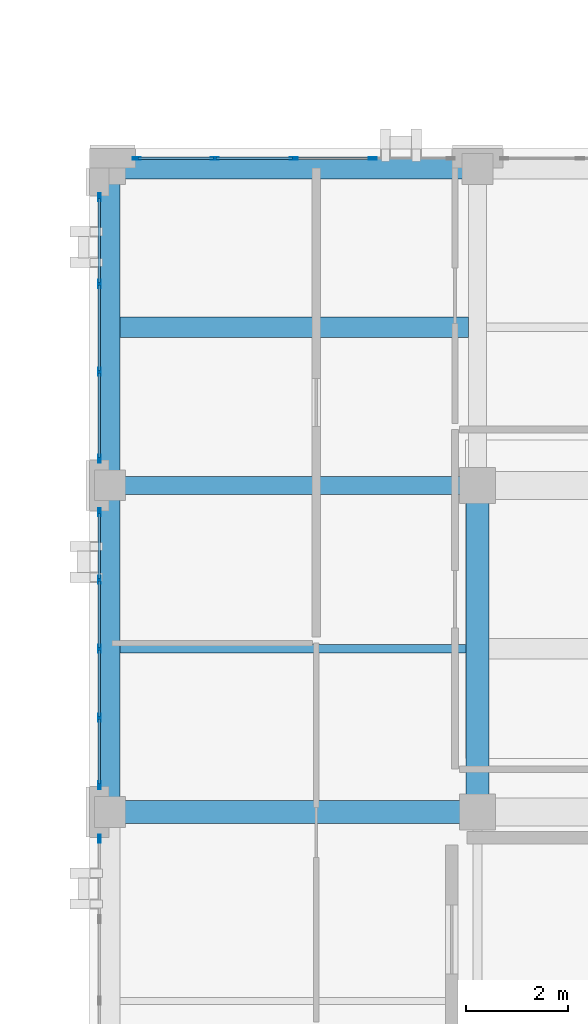
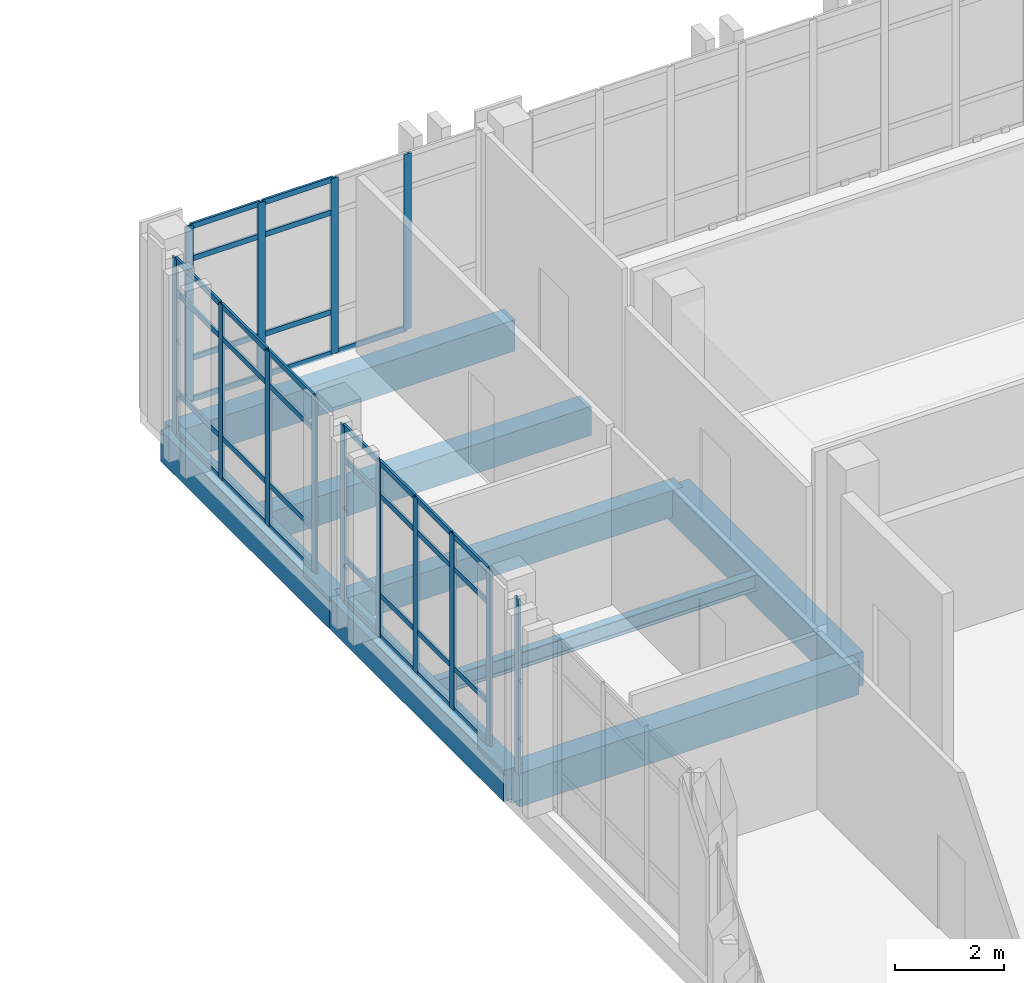
# One storey, part 50 of 90: 51 members, 8 beams, 4 elements without a shape of their own.
"""IFC4 building model written with IfcOpenShell, lengths in metres."""

from ifc_helpers import new_model, si_unit, direction, frame, origin, origin_2d, place, context, subcontext, project, spatial, rectangle, hollow_rectangle, i_section, extrude, material, layer, layer_set, material_profile, profile_set, type_object, element, aggregate, save


model = new_model("IFC4")

# Units and contexts
model_context = context("Model", 3, precision=1e-05, world=origin(), true_north=direction((0.0, 1.0)))
body_context = subcontext(model_context, "Body", "Model", "MODEL_VIEW")
ifc_project = project(units=[si_unit("LENGTHUNIT", "METRE"), si_unit("AREAUNIT", "SQUARE_METRE"), si_unit("VOLUMEUNIT", "CUBIC_METRE"), si_unit("PLANEANGLEUNIT", "RADIAN"), si_unit("MASSUNIT", "GRAM", prefix="KILO")], contexts=[model_context])

# Site, building, storey
site_placement = place(None, origin())
site = spatial("IfcSite", under=ifc_project, at=site_placement, CompositionType="ELEMENT")
building_placement = place(site_placement, origin())
building = spatial("IfcBuilding", under=site, at=building_placement, Name="Qalavern Law Courts", CompositionType="ELEMENT")
storey_placement = place(building_placement, frame((0.0, 0.0, 22.800048828125)))
storey = spatial("IfcBuildingStorey", under=building, at=storey_placement, Name="L05", CompositionType="ELEMENT", Elevation=22.800048828125)

# Curtain wall, members
ifc_material_1 = material(Name="Anodised aluminium and insulated glazing", Category="aluminium")
ifc_layer = layer(ifc_material_1, 0.159912109375)
ifc_layer_set = layer_set([ifc_layer], Name="Anodised aluminium and insulated glazing")
curtain_wall_type = type_object("IfcCurtainWallType", Name="ENV-CW-CHAMB", PredefinedType="USERDEFINED", material=ifc_layer_set)
curtain_wall_1_placement = place(storey_placement, origin())
curtain_wall_1 = element("IfcCurtainWall", 1, at=curtain_wall_1_placement, inside=storey, type_object=curtain_wall_type, Name="V4 unitised curtain wall L05 north 2", ObjectType="UNITISED CURTAIN WALL", PredefinedType="USERDEFINED")
ifc_material_2 = material(Name="Anodised aluminium", Category="aluminium")
ifc_material_profile_1 = material_profile(ifc_material_2, hollow_rectangle(XDim=0.048095703125, YDim=0.159912109375, WallThickness=0.00390625, at=origin_2d()), Name="ALU MULLION 48x160")
ifc_profile_set_1 = profile_set([ifc_material_profile_1], Name="Anodised aluminium")
member_type_1 = type_object("IfcMemberType", Name="ENV-CWM-48x160", PredefinedType="MULLION", material=ifc_profile_set_1)
member_1_placement = place(storey_placement, frame((89.75, 85.607421875, 0.0), z_axis=(0.0, 0.0, 1.0), x_axis=(0.0, -1.0, 0.0)))
member_1 = element("IfcMember", 2, at=member_1_placement, type_object=member_type_1, Name="CW-04 mullion 2", PredefinedType="MULLION", context=body_context, shape_type="SweptSolid", body=[
    extrude(hollow_rectangle(XDim=0.048095703125, YDim=0.159912109375, WallThickness=0.00390625, at=origin_2d()), origin(), (0.0, 0.0, 1.0), 3.929931640625),
])
member_2_placement = place(storey_placement, frame((88.199951171875, 85.607421875, 0.0), z_axis=(0.0, 0.0, 1.0), x_axis=(0.0, -1.0, 0.0)))
member_2 = element("IfcMember", 3, at=member_2_placement, type_object=member_type_1, Name="CW-04 mullion 3", PredefinedType="MULLION", context=body_context, shape_type="SweptSolid", body=[
    extrude(hollow_rectangle(XDim=0.048095703125, YDim=0.159912109375, WallThickness=0.00390625, at=origin_2d()), origin(), (0.0, 0.0, 1.0), 3.929931640625),
])
member_3_placement = place(storey_placement, frame((86.64990234375, 85.607421875, 0.0), z_axis=(0.0, 0.0, 1.0), x_axis=(0.0, -1.0, 0.0)))
member_3 = element("IfcMember", 4, at=member_3_placement, type_object=member_type_1, Name="CW-04 mullion 4", PredefinedType="MULLION", context=body_context, shape_type="SweptSolid", body=[
    extrude(hollow_rectangle(XDim=0.048095703125, YDim=0.159912109375, WallThickness=0.00390625, at=origin_2d()), origin(), (0.0, 0.0, 1.0), 3.929931640625),
])
member_4_placement = place(storey_placement, frame((85.1240234375, 85.607421875, 0.0), z_axis=(0.0, 0.0, 1.0), x_axis=(0.0, -1.0, 0.0)))
member_4 = element("IfcMember", 5, at=member_4_placement, type_object=member_type_1, Name="CW-04 mullion 5", PredefinedType="MULLION", context=body_context, shape_type="SweptSolid", body=[
    extrude(hollow_rectangle(XDim=0.048095703125, YDim=0.159912109375, WallThickness=0.00390625, at=origin_2d()), origin(), (0.0, 0.0, 1.0), 3.929931640625),
])

curtain_wall_2_placement = place(storey_placement, origin())
curtain_wall_2 = element("IfcCurtainWall", 6, at=curtain_wall_2_placement, inside=storey, type_object=curtain_wall_type, Name="V4 unitised curtain wall L05 west 1", ObjectType="UNITISED CURTAIN WALL", PredefinedType="USERDEFINED")
member_5_placement = place(storey_placement, frame((84.392578125, 84.845947265625, 0.0), z_axis=(0.0, 0.0, 1.0), x_axis=(1.0, 0.0, 0.0)))
member_5 = element("IfcMember", 7, at=member_5_placement, type_object=member_type_1, Name="CW-04 mullion 1", PredefinedType="MULLION", context=body_context, shape_type="SweptSolid", body=[
    extrude(hollow_rectangle(XDim=0.048095703125, YDim=0.159912109375, WallThickness=0.00390625, at=origin_2d()), origin(), (0.0, 0.0, 1.0), 3.929931640625),
])
member_6_placement = place(storey_placement, frame((84.392578125, 83.146728515625, 0.0), z_axis=(0.0, 0.0, 1.0), x_axis=(1.0, 0.0, 0.0)))
member_6 = element("IfcMember", 8, at=member_6_placement, type_object=member_type_1, Name="CW-04 mullion 2", PredefinedType="MULLION", context=body_context, shape_type="SweptSolid", body=[
    extrude(hollow_rectangle(XDim=0.048095703125, YDim=0.159912109375, WallThickness=0.00390625, at=origin_2d()), origin(), (0.0, 0.0, 1.0), 3.929931640625),
])
member_7_placement = place(storey_placement, frame((84.392578125, 81.42333984375, 0.0), z_axis=(0.0, 0.0, 1.0), x_axis=(1.0, 0.0, 0.0)))
member_7 = element("IfcMember", 9, at=member_7_placement, type_object=member_type_1, Name="CW-04 mullion 3", PredefinedType="MULLION", context=body_context, shape_type="SweptSolid", body=[
    extrude(hollow_rectangle(XDim=0.048095703125, YDim=0.159912109375, WallThickness=0.00390625, at=origin_2d()), origin(), (0.0, 0.0, 1.0), 3.929931640625),
])
member_8_placement = place(storey_placement, frame((84.392578125, 79.72412109375, 0.0), z_axis=(0.0, 0.0, 1.0), x_axis=(1.0, 0.0, 0.0)))
member_8 = element("IfcMember", 10, at=member_8_placement, type_object=member_type_1, Name="CW-04 mullion 4", PredefinedType="MULLION", context=body_context, shape_type="SweptSolid", body=[
    extrude(hollow_rectangle(XDim=0.048095703125, YDim=0.159912109375, WallThickness=0.00390625, at=origin_2d()), origin(), (0.0, 0.0, 1.0), 3.929931640625),
])

curtain_wall_3_placement = place(storey_placement, origin())
curtain_wall_3 = element("IfcCurtainWall", 11, at=curtain_wall_3_placement, inside=storey, type_object=curtain_wall_type, Name="V4 unitised curtain wall L05 west 2", ObjectType="UNITISED CURTAIN WALL", PredefinedType="USERDEFINED")
member_9_placement = place(storey_placement, frame((84.392578125, 78.676025390625, 0.0), z_axis=(0.0, 0.0, 1.0), x_axis=(1.0, 0.0, 0.0)))
member_9 = element("IfcMember", 12, at=member_9_placement, type_object=member_type_1, Name="CW-04 mullion 1", PredefinedType="MULLION", context=body_context, shape_type="SweptSolid", body=[
    extrude(hollow_rectangle(XDim=0.048095703125, YDim=0.159912109375, WallThickness=0.00390625, at=origin_2d()), origin(), (0.0, 0.0, 1.0), 3.929931640625),
])
member_10_placement = place(storey_placement, frame((84.392578125, 77.35009765625, 0.0), z_axis=(0.0, 0.0, 1.0), x_axis=(1.0, 0.0, 0.0)))
member_10 = element("IfcMember", 13, at=member_10_placement, type_object=member_type_1, Name="CW-04 mullion 2", PredefinedType="MULLION", context=body_context, shape_type="SweptSolid", body=[
    extrude(hollow_rectangle(XDim=0.048095703125, YDim=0.159912109375, WallThickness=0.00390625, at=origin_2d()), origin(), (0.0, 0.0, 1.0), 3.929931640625),
])
member_11_placement = place(storey_placement, frame((84.392578125, 76.0, 0.0), z_axis=(0.0, 0.0, 1.0), x_axis=(1.0, 0.0, 0.0)))
member_11 = element("IfcMember", 14, at=member_11_placement, type_object=member_type_1, Name="CW-04 mullion 3", PredefinedType="MULLION", context=body_context, shape_type="SweptSolid", body=[
    extrude(hollow_rectangle(XDim=0.048095703125, YDim=0.159912109375, WallThickness=0.00390625, at=origin_2d()), origin(), (0.0, 0.0, 1.0), 3.929931640625),
])
member_12_placement = place(storey_placement, frame((84.392578125, 74.64990234375, 0.0), z_axis=(0.0, 0.0, 1.0), x_axis=(1.0, 0.0, 0.0)))
member_12 = element("IfcMember", 15, at=member_12_placement, type_object=member_type_1, Name="CW-04 mullion 4", PredefinedType="MULLION", context=body_context, shape_type="SweptSolid", body=[
    extrude(hollow_rectangle(XDim=0.048095703125, YDim=0.159912109375, WallThickness=0.00390625, at=origin_2d()), origin(), (0.0, 0.0, 1.0), 3.929931640625),
])
member_13_placement = place(storey_placement, frame((84.392578125, 73.323974609375, 0.0), z_axis=(0.0, 0.0, 1.0), x_axis=(1.0, 0.0, 0.0)))
member_13 = element("IfcMember", 16, at=member_13_placement, type_object=member_type_1, Name="CW-04 mullion 5", PredefinedType="MULLION", context=body_context, shape_type="SweptSolid", body=[
    extrude(hollow_rectangle(XDim=0.048095703125, YDim=0.159912109375, WallThickness=0.00390625, at=origin_2d()), origin(), (0.0, 0.0, 1.0), 3.929931640625),
])

# Curtain wall, member
curtain_wall_4_placement = place(storey_placement, origin())
curtain_wall_4 = element("IfcCurtainWall", 17, at=curtain_wall_4_placement, inside=storey, type_object=curtain_wall_type, Name="V4 unitised curtain wall L05 west 3", ObjectType="UNITISED CURTAIN WALL", PredefinedType="USERDEFINED")
member_14_placement = place(storey_placement, frame((84.392578125, 72.27587890625, 0.0), z_axis=(0.0, 0.0, 1.0), x_axis=(1.0, 0.0, 0.0)))
member_14 = element("IfcMember", 18, at=member_14_placement, type_object=member_type_1, Name="CW-04 mullion 1", PredefinedType="MULLION", context=body_context, shape_type="SweptSolid", body=[
    extrude(hollow_rectangle(XDim=0.048095703125, YDim=0.159912109375, WallThickness=0.00390625, at=origin_2d()), origin(), (0.0, 0.0, 1.0), 3.929931640625),
])
aggregate(curtain_wall_4, [member_14])

# Member
ifc_material_profile_2 = material_profile(ifc_material_2, hollow_rectangle(XDim=0.048095703125, YDim=0.1201171875, WallThickness=0.00390625, at=origin_2d()), Name="ALU TRANSOM 48x120")
ifc_profile_set_2 = profile_set([ifc_material_profile_2], Name="Anodised aluminium")
member_type_2 = type_object("IfcMemberType", Name="ENV-CWT-48x120", PredefinedType="USERDEFINED", material=ifc_profile_set_2)
member_15_placement = place(storey_placement, frame((89.72607421875, 85.607421875, 0.02392578125), z_axis=(-1.0, 0.0, 0.0), x_axis=(0.0, -1.0, 0.0)))
member_15 = element("IfcMember", 19, at=member_15_placement, type_object=member_type_2, Name="CW-04 transom 2.1", ObjectType="TRANSOM", PredefinedType="USERDEFINED", context=body_context, shape_type="SweptSolid", body=[
    extrude(hollow_rectangle(XDim=0.048095703125, YDim=0.1201171875, WallThickness=0.00390625, at=origin_2d()), origin(), (0.0, 0.0, 1.0), 1.501953125),
])

member_16_placement = place(storey_placement, frame((88.176025390625, 85.607421875, 0.02392578125), z_axis=(-1.0, 0.0, 0.0), x_axis=(0.0, -1.0, 0.0)))
member_16 = element("IfcMember", 20, at=member_16_placement, type_object=member_type_2, Name="CW-04 transom 3.1", ObjectType="TRANSOM", PredefinedType="USERDEFINED", context=body_context, shape_type="SweptSolid", body=[
    extrude(hollow_rectangle(XDim=0.048095703125, YDim=0.1201171875, WallThickness=0.00390625, at=origin_2d()), origin(), (0.0, 0.0, 1.0), 1.501953125),
])

member_17_placement = place(storey_placement, frame((88.176025390625, 85.607421875, 0.949951171875), z_axis=(-1.0, 0.0, 0.0), x_axis=(0.0, -1.0, 0.0)))
member_17 = element("IfcMember", 21, at=member_17_placement, type_object=member_type_2, Name="CW-04 transom 3.2", ObjectType="TRANSOM", PredefinedType="USERDEFINED", context=body_context, shape_type="SweptSolid", body=[
    extrude(hollow_rectangle(XDim=0.048095703125, YDim=0.1201171875, WallThickness=0.00390625, at=origin_2d()), origin(), (0.0, 0.0, 1.0), 1.501953125),
])

member_18_placement = place(storey_placement, frame((88.176025390625, 85.607421875, 3.179931640625), z_axis=(-1.0, 0.0, 0.0), x_axis=(0.0, -1.0, 0.0)))
member_18 = element("IfcMember", 22, at=member_18_placement, type_object=member_type_2, Name="CW-04 transom 3.3", ObjectType="TRANSOM", PredefinedType="USERDEFINED", context=body_context, shape_type="SweptSolid", body=[
    extrude(hollow_rectangle(XDim=0.048095703125, YDim=0.1201171875, WallThickness=0.00390625, at=origin_2d()), origin(), (0.0, 0.0, 1.0), 1.501953125),
])

member_19_placement = place(storey_placement, frame((88.176025390625, 85.607421875, 3.906005859375), z_axis=(-1.0, 0.0, 0.0), x_axis=(0.0, -1.0, 0.0)))
member_19 = element("IfcMember", 23, at=member_19_placement, type_object=member_type_2, Name="CW-04 transom 3.4", ObjectType="TRANSOM", PredefinedType="USERDEFINED", context=body_context, shape_type="SweptSolid", body=[
    extrude(hollow_rectangle(XDim=0.048095703125, YDim=0.1201171875, WallThickness=0.00390625, at=origin_2d()), origin(), (0.0, 0.0, 1.0), 1.501953125),
])

member_20_placement = place(storey_placement, frame((86.6259765625, 85.607421875, 0.02392578125), z_axis=(-1.0, 0.0, 0.0), x_axis=(0.0, -1.0, 0.0)))
member_20 = element("IfcMember", 24, at=member_20_placement, type_object=member_type_2, Name="CW-04 transom 4.1", ObjectType="TRANSOM", PredefinedType="USERDEFINED", context=body_context, shape_type="SweptSolid", body=[
    extrude(hollow_rectangle(XDim=0.048095703125, YDim=0.1201171875, WallThickness=0.00390625, at=origin_2d()), origin(), (0.0, 0.0, 1.0), 1.47802734375),
])

member_21_placement = place(storey_placement, frame((86.6259765625, 85.607421875, 0.949951171875), z_axis=(-1.0, 0.0, 0.0), x_axis=(0.0, -1.0, 0.0)))
member_21 = element("IfcMember", 25, at=member_21_placement, type_object=member_type_2, Name="CW-04 transom 4.2", ObjectType="TRANSOM", PredefinedType="USERDEFINED", context=body_context, shape_type="SweptSolid", body=[
    extrude(hollow_rectangle(XDim=0.048095703125, YDim=0.1201171875, WallThickness=0.00390625, at=origin_2d()), origin(), (0.0, 0.0, 1.0), 1.47802734375),
])

member_22_placement = place(storey_placement, frame((86.6259765625, 85.607421875, 3.179931640625), z_axis=(-1.0, 0.0, 0.0), x_axis=(0.0, -1.0, 0.0)))
member_22 = element("IfcMember", 26, at=member_22_placement, type_object=member_type_2, Name="CW-04 transom 4.3", ObjectType="TRANSOM", PredefinedType="USERDEFINED", context=body_context, shape_type="SweptSolid", body=[
    extrude(hollow_rectangle(XDim=0.048095703125, YDim=0.1201171875, WallThickness=0.00390625, at=origin_2d()), origin(), (0.0, 0.0, 1.0), 1.47802734375),
])

member_23_placement = place(storey_placement, frame((86.6259765625, 85.607421875, 3.906005859375), z_axis=(-1.0, 0.0, 0.0), x_axis=(0.0, -1.0, 0.0)))
member_23 = element("IfcMember", 27, at=member_23_placement, type_object=member_type_2, Name="CW-04 transom 4.4", ObjectType="TRANSOM", PredefinedType="USERDEFINED", context=body_context, shape_type="SweptSolid", body=[
    extrude(hollow_rectangle(XDim=0.048095703125, YDim=0.1201171875, WallThickness=0.00390625, at=origin_2d()), origin(), (0.0, 0.0, 1.0), 1.47802734375),
])

aggregate(curtain_wall_1, [member_1, member_2, member_3, member_4, member_15, member_16, member_17, member_18, member_19, member_20, member_21, member_22, member_23])

member_24_placement = place(storey_placement, frame((84.392578125, 84.822021484375, 0.02392578125), z_axis=(0.0, -1.0, 0.0), x_axis=(1.0, 0.0, 0.0)))
member_24 = element("IfcMember", 28, at=member_24_placement, type_object=member_type_2, Name="CW-04 transom 1.1", ObjectType="TRANSOM", PredefinedType="USERDEFINED", context=body_context, shape_type="SweptSolid", body=[
    extrude(hollow_rectangle(XDim=0.048095703125, YDim=0.1201171875, WallThickness=0.00390625, at=origin_2d()), origin(), (0.0, 0.0, 1.0), 1.6513671875),
])

member_25_placement = place(storey_placement, frame((84.392578125, 84.822021484375, 0.949951171875), z_axis=(0.0, -1.0, 0.0), x_axis=(1.0, 0.0, 0.0)))
member_25 = element("IfcMember", 29, at=member_25_placement, type_object=member_type_2, Name="CW-04 transom 1.2", ObjectType="TRANSOM", PredefinedType="USERDEFINED", context=body_context, shape_type="SweptSolid", body=[
    extrude(hollow_rectangle(XDim=0.048095703125, YDim=0.1201171875, WallThickness=0.00390625, at=origin_2d()), origin(), (0.0, 0.0, 1.0), 1.6513671875),
])

member_26_placement = place(storey_placement, frame((84.392578125, 84.822021484375, 3.179931640625), z_axis=(0.0, -1.0, 0.0), x_axis=(1.0, 0.0, 0.0)))
member_26 = element("IfcMember", 30, at=member_26_placement, type_object=member_type_2, Name="CW-04 transom 1.3", ObjectType="TRANSOM", PredefinedType="USERDEFINED", context=body_context, shape_type="SweptSolid", body=[
    extrude(hollow_rectangle(XDim=0.048095703125, YDim=0.1201171875, WallThickness=0.00390625, at=origin_2d()), origin(), (0.0, 0.0, 1.0), 1.6513671875),
])

member_27_placement = place(storey_placement, frame((84.392578125, 84.822021484375, 3.906005859375), z_axis=(0.0, -1.0, 0.0), x_axis=(1.0, 0.0, 0.0)))
member_27 = element("IfcMember", 31, at=member_27_placement, type_object=member_type_2, Name="CW-04 transom 1.4", ObjectType="TRANSOM", PredefinedType="USERDEFINED", context=body_context, shape_type="SweptSolid", body=[
    extrude(hollow_rectangle(XDim=0.048095703125, YDim=0.1201171875, WallThickness=0.00390625, at=origin_2d()), origin(), (0.0, 0.0, 1.0), 1.6513671875),
])

member_28_placement = place(storey_placement, frame((84.392578125, 83.12255859375, 0.02392578125), z_axis=(0.0, -1.0, 0.0), x_axis=(1.0, 0.0, 0.0)))
member_28 = element("IfcMember", 32, at=member_28_placement, type_object=member_type_2, Name="CW-04 transom 2.1", ObjectType="TRANSOM", PredefinedType="USERDEFINED", context=body_context, shape_type="SweptSolid", body=[
    extrude(hollow_rectangle(XDim=0.048095703125, YDim=0.1201171875, WallThickness=0.00390625, at=origin_2d()), origin(), (0.0, 0.0, 1.0), 1.67529296875),
])

member_29_placement = place(storey_placement, frame((84.392578125, 83.12255859375, 0.949951171875), z_axis=(0.0, -1.0, 0.0), x_axis=(1.0, 0.0, 0.0)))
member_29 = element("IfcMember", 33, at=member_29_placement, type_object=member_type_2, Name="CW-04 transom 2.2", ObjectType="TRANSOM", PredefinedType="USERDEFINED", context=body_context, shape_type="SweptSolid", body=[
    extrude(hollow_rectangle(XDim=0.048095703125, YDim=0.1201171875, WallThickness=0.00390625, at=origin_2d()), origin(), (0.0, 0.0, 1.0), 1.67529296875),
])

member_30_placement = place(storey_placement, frame((84.392578125, 83.12255859375, 3.179931640625), z_axis=(0.0, -1.0, 0.0), x_axis=(1.0, 0.0, 0.0)))
member_30 = element("IfcMember", 34, at=member_30_placement, type_object=member_type_2, Name="CW-04 transom 2.3", ObjectType="TRANSOM", PredefinedType="USERDEFINED", context=body_context, shape_type="SweptSolid", body=[
    extrude(hollow_rectangle(XDim=0.048095703125, YDim=0.1201171875, WallThickness=0.00390625, at=origin_2d()), origin(), (0.0, 0.0, 1.0), 1.67529296875),
])

member_31_placement = place(storey_placement, frame((84.392578125, 83.12255859375, 3.906005859375), z_axis=(0.0, -1.0, 0.0), x_axis=(1.0, 0.0, 0.0)))
member_31 = element("IfcMember", 35, at=member_31_placement, type_object=member_type_2, Name="CW-04 transom 2.4", ObjectType="TRANSOM", PredefinedType="USERDEFINED", context=body_context, shape_type="SweptSolid", body=[
    extrude(hollow_rectangle(XDim=0.048095703125, YDim=0.1201171875, WallThickness=0.00390625, at=origin_2d()), origin(), (0.0, 0.0, 1.0), 1.67529296875),
])

member_32_placement = place(storey_placement, frame((84.392578125, 81.3994140625, 0.02392578125), z_axis=(0.0, -1.0, 0.0), x_axis=(1.0, 0.0, 0.0)))
member_32 = element("IfcMember", 36, at=member_32_placement, type_object=member_type_2, Name="CW-04 transom 3.1", ObjectType="TRANSOM", PredefinedType="USERDEFINED", context=body_context, shape_type="SweptSolid", body=[
    extrude(hollow_rectangle(XDim=0.048095703125, YDim=0.1201171875, WallThickness=0.00390625, at=origin_2d()), origin(), (0.0, 0.0, 1.0), 1.6513671875),
])

member_33_placement = place(storey_placement, frame((84.392578125, 81.3994140625, 0.949951171875), z_axis=(0.0, -1.0, 0.0), x_axis=(1.0, 0.0, 0.0)))
member_33 = element("IfcMember", 37, at=member_33_placement, type_object=member_type_2, Name="CW-04 transom 3.2", ObjectType="TRANSOM", PredefinedType="USERDEFINED", context=body_context, shape_type="SweptSolid", body=[
    extrude(hollow_rectangle(XDim=0.048095703125, YDim=0.1201171875, WallThickness=0.00390625, at=origin_2d()), origin(), (0.0, 0.0, 1.0), 1.6513671875),
])

member_34_placement = place(storey_placement, frame((84.392578125, 81.3994140625, 3.179931640625), z_axis=(0.0, -1.0, 0.0), x_axis=(1.0, 0.0, 0.0)))
member_34 = element("IfcMember", 38, at=member_34_placement, type_object=member_type_2, Name="CW-04 transom 3.3", ObjectType="TRANSOM", PredefinedType="USERDEFINED", context=body_context, shape_type="SweptSolid", body=[
    extrude(hollow_rectangle(XDim=0.048095703125, YDim=0.1201171875, WallThickness=0.00390625, at=origin_2d()), origin(), (0.0, 0.0, 1.0), 1.6513671875),
])

member_35_placement = place(storey_placement, frame((84.392578125, 81.3994140625, 3.906005859375), z_axis=(0.0, -1.0, 0.0), x_axis=(1.0, 0.0, 0.0)))
member_35 = element("IfcMember", 39, at=member_35_placement, type_object=member_type_2, Name="CW-04 transom 3.4", ObjectType="TRANSOM", PredefinedType="USERDEFINED", context=body_context, shape_type="SweptSolid", body=[
    extrude(hollow_rectangle(XDim=0.048095703125, YDim=0.1201171875, WallThickness=0.00390625, at=origin_2d()), origin(), (0.0, 0.0, 1.0), 1.6513671875),
])

aggregate(curtain_wall_2, [member_5, member_6, member_7, member_8, member_24, member_25, member_26, member_27, member_28, member_29, member_30, member_31, member_32, member_33, member_34, member_35])

member_36_placement = place(storey_placement, frame((84.392578125, 78.652099609375, 0.02392578125), z_axis=(0.0, -1.0, 0.0), x_axis=(1.0, 0.0, 0.0)))
member_36 = element("IfcMember", 40, at=member_36_placement, type_object=member_type_2, Name="CW-04 transom 1.1", ObjectType="TRANSOM", PredefinedType="USERDEFINED", context=body_context, shape_type="SweptSolid", body=[
    extrude(hollow_rectangle(XDim=0.048095703125, YDim=0.1201171875, WallThickness=0.00390625, at=origin_2d()), origin(), (0.0, 0.0, 1.0), 1.278076171875),
])

member_37_placement = place(storey_placement, frame((84.392578125, 78.652099609375, 0.949951171875), z_axis=(0.0, -1.0, 0.0), x_axis=(1.0, 0.0, 0.0)))
member_37 = element("IfcMember", 41, at=member_37_placement, type_object=member_type_2, Name="CW-04 transom 1.2", ObjectType="TRANSOM", PredefinedType="USERDEFINED", context=body_context, shape_type="SweptSolid", body=[
    extrude(hollow_rectangle(XDim=0.048095703125, YDim=0.1201171875, WallThickness=0.00390625, at=origin_2d()), origin(), (0.0, 0.0, 1.0), 1.278076171875),
])

member_38_placement = place(storey_placement, frame((84.392578125, 78.652099609375, 3.179931640625), z_axis=(0.0, -1.0, 0.0), x_axis=(1.0, 0.0, 0.0)))
member_38 = element("IfcMember", 42, at=member_38_placement, type_object=member_type_2, Name="CW-04 transom 1.3", ObjectType="TRANSOM", PredefinedType="USERDEFINED", context=body_context, shape_type="SweptSolid", body=[
    extrude(hollow_rectangle(XDim=0.048095703125, YDim=0.1201171875, WallThickness=0.00390625, at=origin_2d()), origin(), (0.0, 0.0, 1.0), 1.278076171875),
])

member_39_placement = place(storey_placement, frame((84.392578125, 78.652099609375, 3.906005859375), z_axis=(0.0, -1.0, 0.0), x_axis=(1.0, 0.0, 0.0)))
member_39 = element("IfcMember", 43, at=member_39_placement, type_object=member_type_2, Name="CW-04 transom 1.4", ObjectType="TRANSOM", PredefinedType="USERDEFINED", context=body_context, shape_type="SweptSolid", body=[
    extrude(hollow_rectangle(XDim=0.048095703125, YDim=0.1201171875, WallThickness=0.00390625, at=origin_2d()), origin(), (0.0, 0.0, 1.0), 1.278076171875),
])

member_40_placement = place(storey_placement, frame((84.392578125, 77.325927734375, 0.02392578125), z_axis=(0.0, -1.0, 0.0), x_axis=(1.0, 0.0, 0.0)))
member_40 = element("IfcMember", 44, at=member_40_placement, type_object=member_type_2, Name="CW-04 transom 2.1", ObjectType="TRANSOM", PredefinedType="USERDEFINED", context=body_context, shape_type="SweptSolid", body=[
    extrude(hollow_rectangle(XDim=0.048095703125, YDim=0.1201171875, WallThickness=0.00390625, at=origin_2d()), origin(), (0.0, 0.0, 1.0), 1.302001953125),
])

member_41_placement = place(storey_placement, frame((84.392578125, 77.325927734375, 0.949951171875), z_axis=(0.0, -1.0, 0.0), x_axis=(1.0, 0.0, 0.0)))
member_41 = element("IfcMember", 45, at=member_41_placement, type_object=member_type_2, Name="CW-04 transom 2.2", ObjectType="TRANSOM", PredefinedType="USERDEFINED", context=body_context, shape_type="SweptSolid", body=[
    extrude(hollow_rectangle(XDim=0.048095703125, YDim=0.1201171875, WallThickness=0.00390625, at=origin_2d()), origin(), (0.0, 0.0, 1.0), 1.302001953125),
])

member_42_placement = place(storey_placement, frame((84.392578125, 77.325927734375, 3.179931640625), z_axis=(0.0, -1.0, 0.0), x_axis=(1.0, 0.0, 0.0)))
member_42 = element("IfcMember", 46, at=member_42_placement, type_object=member_type_2, Name="CW-04 transom 2.3", ObjectType="TRANSOM", PredefinedType="USERDEFINED", context=body_context, shape_type="SweptSolid", body=[
    extrude(hollow_rectangle(XDim=0.048095703125, YDim=0.1201171875, WallThickness=0.00390625, at=origin_2d()), origin(), (0.0, 0.0, 1.0), 1.302001953125),
])

member_43_placement = place(storey_placement, frame((84.392578125, 77.325927734375, 3.906005859375), z_axis=(0.0, -1.0, 0.0), x_axis=(1.0, 0.0, 0.0)))
member_43 = element("IfcMember", 47, at=member_43_placement, type_object=member_type_2, Name="CW-04 transom 2.4", ObjectType="TRANSOM", PredefinedType="USERDEFINED", context=body_context, shape_type="SweptSolid", body=[
    extrude(hollow_rectangle(XDim=0.048095703125, YDim=0.1201171875, WallThickness=0.00390625, at=origin_2d()), origin(), (0.0, 0.0, 1.0), 1.302001953125),
])

member_44_placement = place(storey_placement, frame((84.392578125, 75.97607421875, 0.02392578125), z_axis=(0.0, -1.0, 0.0), x_axis=(1.0, 0.0, 0.0)))
member_44 = element("IfcMember", 48, at=member_44_placement, type_object=member_type_2, Name="CW-04 transom 3.1", ObjectType="TRANSOM", PredefinedType="USERDEFINED", context=body_context, shape_type="SweptSolid", body=[
    extrude(hollow_rectangle(XDim=0.048095703125, YDim=0.1201171875, WallThickness=0.00390625, at=origin_2d()), origin(), (0.0, 0.0, 1.0), 1.302001953125),
])

member_45_placement = place(storey_placement, frame((84.392578125, 75.97607421875, 0.949951171875), z_axis=(0.0, -1.0, 0.0), x_axis=(1.0, 0.0, 0.0)))
member_45 = element("IfcMember", 49, at=member_45_placement, type_object=member_type_2, Name="CW-04 transom 3.2", ObjectType="TRANSOM", PredefinedType="USERDEFINED", context=body_context, shape_type="SweptSolid", body=[
    extrude(hollow_rectangle(XDim=0.048095703125, YDim=0.1201171875, WallThickness=0.00390625, at=origin_2d()), origin(), (0.0, 0.0, 1.0), 1.302001953125),
])

member_46_placement = place(storey_placement, frame((84.392578125, 75.97607421875, 3.179931640625), z_axis=(0.0, -1.0, 0.0), x_axis=(1.0, 0.0, 0.0)))
member_46 = element("IfcMember", 50, at=member_46_placement, type_object=member_type_2, Name="CW-04 transom 3.3", ObjectType="TRANSOM", PredefinedType="USERDEFINED", context=body_context, shape_type="SweptSolid", body=[
    extrude(hollow_rectangle(XDim=0.048095703125, YDim=0.1201171875, WallThickness=0.00390625, at=origin_2d()), origin(), (0.0, 0.0, 1.0), 1.302001953125),
])

member_47_placement = place(storey_placement, frame((84.392578125, 75.97607421875, 3.906005859375), z_axis=(0.0, -1.0, 0.0), x_axis=(1.0, 0.0, 0.0)))
member_47 = element("IfcMember", 51, at=member_47_placement, type_object=member_type_2, Name="CW-04 transom 3.4", ObjectType="TRANSOM", PredefinedType="USERDEFINED", context=body_context, shape_type="SweptSolid", body=[
    extrude(hollow_rectangle(XDim=0.048095703125, YDim=0.1201171875, WallThickness=0.00390625, at=origin_2d()), origin(), (0.0, 0.0, 1.0), 1.302001953125),
])

member_48_placement = place(storey_placement, frame((84.392578125, 74.6259765625, 0.02392578125), z_axis=(0.0, -1.0, 0.0), x_axis=(1.0, 0.0, 0.0)))
member_48 = element("IfcMember", 52, at=member_48_placement, type_object=member_type_2, Name="CW-04 transom 4.1", ObjectType="TRANSOM", PredefinedType="USERDEFINED", context=body_context, shape_type="SweptSolid", body=[
    extrude(hollow_rectangle(XDim=0.048095703125, YDim=0.1201171875, WallThickness=0.00390625, at=origin_2d()), origin(), (0.0, 0.0, 1.0), 1.278076171875),
])

member_49_placement = place(storey_placement, frame((84.392578125, 74.6259765625, 0.949951171875), z_axis=(0.0, -1.0, 0.0), x_axis=(1.0, 0.0, 0.0)))
member_49 = element("IfcMember", 53, at=member_49_placement, type_object=member_type_2, Name="CW-04 transom 4.2", ObjectType="TRANSOM", PredefinedType="USERDEFINED", context=body_context, shape_type="SweptSolid", body=[
    extrude(hollow_rectangle(XDim=0.048095703125, YDim=0.1201171875, WallThickness=0.00390625, at=origin_2d()), origin(), (0.0, 0.0, 1.0), 1.278076171875),
])

member_50_placement = place(storey_placement, frame((84.392578125, 74.6259765625, 3.179931640625), z_axis=(0.0, -1.0, 0.0), x_axis=(1.0, 0.0, 0.0)))
member_50 = element("IfcMember", 54, at=member_50_placement, type_object=member_type_2, Name="CW-04 transom 4.3", ObjectType="TRANSOM", PredefinedType="USERDEFINED", context=body_context, shape_type="SweptSolid", body=[
    extrude(hollow_rectangle(XDim=0.048095703125, YDim=0.1201171875, WallThickness=0.00390625, at=origin_2d()), origin(), (0.0, 0.0, 1.0), 1.278076171875),
])

member_51_placement = place(storey_placement, frame((84.392578125, 74.6259765625, 3.906005859375), z_axis=(0.0, -1.0, 0.0), x_axis=(1.0, 0.0, 0.0)))
member_51 = element("IfcMember", 55, at=member_51_placement, type_object=member_type_2, Name="CW-04 transom 4.4", ObjectType="TRANSOM", PredefinedType="USERDEFINED", context=body_context, shape_type="SweptSolid", body=[
    extrude(hollow_rectangle(XDim=0.048095703125, YDim=0.1201171875, WallThickness=0.00390625, at=origin_2d()), origin(), (0.0, 0.0, 1.0), 1.278076171875),
])

aggregate(curtain_wall_3, [member_9, member_10, member_11, member_12, member_13, member_36, member_37, member_38, member_39, member_40, member_41, member_42, member_43, member_44, member_45, member_46, member_47, member_48, member_49, member_50, member_51])

# Beams
ifc_material_3 = material(Name="Concrete C35/45", Category="concrete")
ifc_material_profile_3 = material_profile(ifc_material_3, rectangle(XDim=0.35009765625, YDim=0.60009765625, at=origin_2d()), Name="RC 350x600")
ifc_profile_set_3 = profile_set([ifc_material_profile_3], Name="Concrete C35/45")
beam_type_1 = type_object("IfcBeamType", Name="STR-BM-RC350x600", PredefinedType="BEAM", material=ifc_profile_set_3)
beam_1_placement = place(storey_placement, frame((84.60009765625, 79.199951171875, -0.574951171875), z_axis=(1.0, 0.0, 0.0), x_axis=(0.0, 1.0, 0.0)))
element("IfcBeam", 56, at=beam_1_placement, inside=storey, type_object=beam_type_1, Name="V4 X-beam 6-1 L05", PredefinedType="BEAM", context=body_context, shape_type="SweptSolid", body=[
    extrude(rectangle(XDim=0.35009765625, YDim=0.60009765625, at=origin_2d()), origin(), (0.0, 0.0, 1.0), 7.199951171875),
])
ifc_material_4 = material(Name="Concrete C40/50", Category="concrete")
ifc_material_profile_4 = material_profile(ifc_material_4, rectangle(XDim=0.449951171875, YDim=0.75, at=origin_2d()), Name="RC 450x750")
ifc_profile_set_4 = profile_set([ifc_material_profile_4], Name="Concrete C40/50")
beam_type_2 = type_object("IfcBeamType", Name="STR-BM-RC450x750", PredefinedType="BEAM", material=ifc_profile_set_4)
beam_2_placement = place(storey_placement, frame((84.60009765625, 72.800048828125, -0.650146484375), z_axis=(1.0, 0.0, 0.0), x_axis=(0.0, 1.0, 0.0)))
element("IfcBeam", 57, at=beam_2_placement, inside=storey, type_object=beam_type_2, Name="V4 X-beam 5-1 L05", PredefinedType="BEAM", context=body_context, shape_type="SweptSolid", body=[
    extrude(rectangle(XDim=0.449951171875, YDim=0.75, at=origin_2d()), origin(), (0.0, 0.0, 1.0), 7.199951171875),
])
beam_3_placement = place(storey_placement, frame((91.800048828125, 72.800048828125, -0.650146484375), z_axis=(0.0, 1.0, 0.0), x_axis=(-1.0, 0.0, 0.0)))
element("IfcBeam", 58, at=beam_3_placement, inside=storey, type_object=beam_type_2, Name="V4 Y-beam 2-4 L05", PredefinedType="BEAM", context=body_context, shape_type="SweptSolid", body=[
    extrude(rectangle(XDim=0.449951171875, YDim=0.75, at=origin_2d()), origin(), (0.0, 0.0, 1.0), 6.39990234375),
])
ifc_material_5 = material(Name="Steel S355", Category="steel")
ifc_material_profile_5 = material_profile(ifc_material_5, i_section(OverallWidth=0.169921875, OverallDepth=0.360107421875, WebThickness=0.008056640625, FlangeThickness=0.0126953125, FilletRadius=0.01806640625, at=origin_2d()), Name="IPE 360")
ifc_profile_set_5 = profile_set([ifc_material_profile_5], Name="Steel S355")
beam_type_3 = type_object("IfcBeamType", Name="STR-JST-IPE360", PredefinedType="JOIST", material=ifc_profile_set_5)
beam_4_placement = place(storey_placement, frame((84.798095703125, 76.0, -0.455078125), z_axis=(1.0, 0.0, 0.0), x_axis=(0.0, 1.0, 0.0)))
element("IfcBeam", 59, at=beam_4_placement, inside=storey, type_object=beam_type_3, Name="V4 secondary joist 1.5.1 L05", PredefinedType="JOIST", context=body_context, shape_type="SweptSolid", body=[
    extrude(i_section(OverallWidth=0.169921875, OverallDepth=0.360107421875, WebThickness=0.008056640625, FlangeThickness=0.0126953125, FilletRadius=0.01806640625, at=origin_2d()), origin(), (0.0, 0.0, 1.0), 6.77880859375),
])
ifc_material_profile_6 = material_profile(ifc_material_3, rectangle(XDim=0.39990234375, YDim=0.64990234375, at=origin_2d()), Name="RC 400x650")
ifc_profile_set_6 = profile_set([ifc_material_profile_6], Name="Concrete C35/45")
beam_type_4 = type_object("IfcBeamType", Name="STR-JST-RC400x650", PredefinedType="JOIST", material=ifc_profile_set_6)
beam_5_placement = place(storey_placement, frame((84.798095703125, 82.300048828125, -0.60009765625), z_axis=(1.0, 0.0, 0.0), x_axis=(0.0, 1.0, 0.0)))
element("IfcBeam", 60, at=beam_5_placement, inside=storey, type_object=beam_type_4, Name="V4 secondary joist 1.6.1 L05", PredefinedType="JOIST", context=body_context, shape_type="SweptSolid", body=[
    extrude(rectangle(XDim=0.39990234375, YDim=0.64990234375, at=origin_2d()), origin(), (0.0, 0.0, 1.0), 6.828857421875),
])
ifc_material_profile_7 = material_profile(ifc_material_4, rectangle(XDim=0.39990234375, YDim=0.699951171875, at=origin_2d()), Name="RC 400x700")
ifc_profile_set_7 = profile_set([ifc_material_profile_7], Name="Concrete C40/50")
beam_type_5 = type_object("IfcBeamType", Name="STR-SP-RC400x700", PredefinedType="SPANDREL", material=ifc_profile_set_7)
beam_6_placement = place(storey_placement, frame((84.60009765625, 85.39990234375, -0.625), z_axis=(1.0, 0.0, 0.0), x_axis=(0.0, 1.0, 0.0)))
element("IfcBeam", 61, at=beam_6_placement, inside=storey, type_object=beam_type_5, Name="V4 X-beam 7-1 L05", PredefinedType="SPANDREL", context=body_context, shape_type="SweptSolid", body=[
    extrude(rectangle(XDim=0.39990234375, YDim=0.699951171875, at=origin_2d()), origin(), (0.0, 0.0, 1.0), 7.199951171875),
])
beam_7_placement = place(storey_placement, frame((84.60009765625, 72.800048828125, -0.625), z_axis=(0.0, 1.0, 0.0), x_axis=(-1.0, 0.0, 0.0)))
element("IfcBeam", 62, at=beam_7_placement, inside=storey, type_object=beam_type_5, Name="V4 Y-beam 1-5 L05", PredefinedType="SPANDREL", context=body_context, shape_type="SweptSolid", body=[
    extrude(rectangle(XDim=0.39990234375, YDim=0.699951171875, at=origin_2d()), origin(), (0.0, 0.0, 1.0), 6.39990234375),
])
beam_8_placement = place(storey_placement, frame((84.60009765625, 79.199951171875, -0.625), z_axis=(0.0, 1.0, 0.0), x_axis=(-1.0, 0.0, 0.0)))
element("IfcBeam", 63, at=beam_8_placement, inside=storey, type_object=beam_type_5, Name="V4 Y-beam 1-6 L05", PredefinedType="SPANDREL", context=body_context, shape_type="SweptSolid", body=[
    extrude(rectangle(XDim=0.39990234375, YDim=0.699951171875, at=origin_2d()), origin(), (0.0, 0.0, 1.0), 6.199951171875),
])

save(model, "model.ifc")
